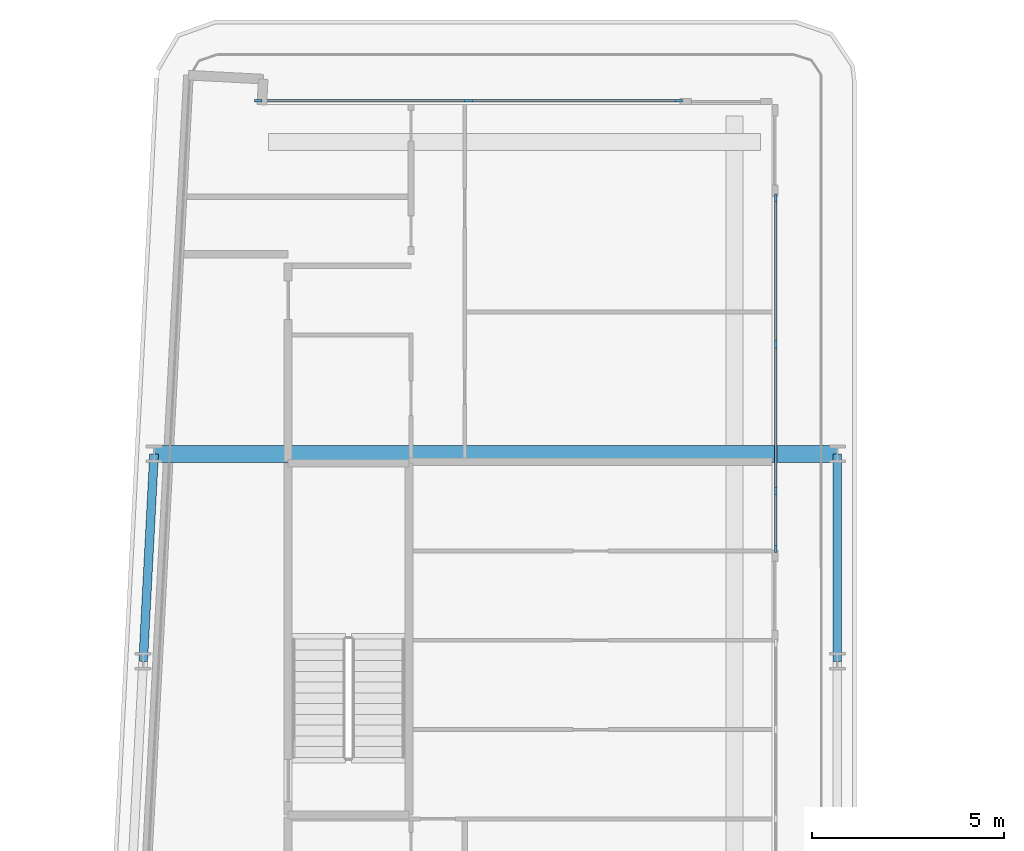
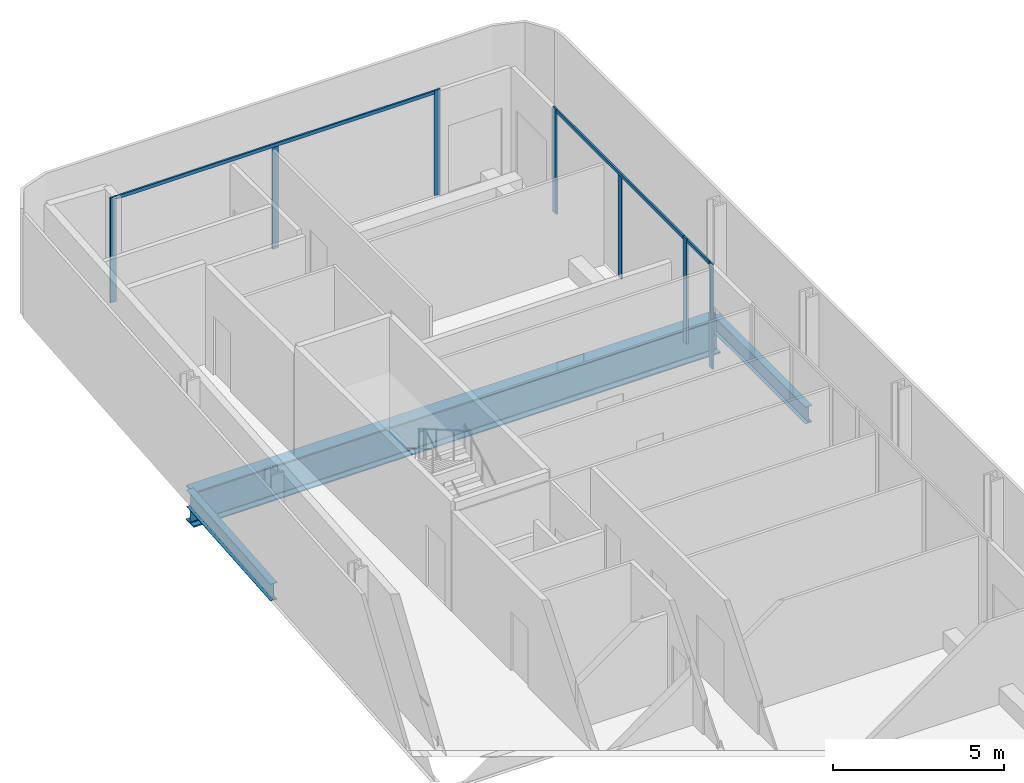
# One storey, part 9 of 28: 10 members, 3 beams, 3 elements without a shape of their own.
"""IFC4 building model written with IfcOpenShell, lengths in metres."""

from ifc_helpers import new_model, si_unit, direction, frame, origin, origin_2d, place, context, subcontext, project, spatial, rectangle, i_section, extrude, material, layer, layer_set, material_profile, profile_set, type_object, element, aggregate, save


model = new_model("IFC4")

# Units and contexts
model_context = context("Model", 3, precision=1e-05, world=origin(), true_north=direction((0.0, 1.0)))
body_context = subcontext(model_context, "Body", "Model", "MODEL_VIEW")
ifc_project = project(units=[si_unit("LENGTHUNIT", "METRE"), si_unit("AREAUNIT", "SQUARE_METRE"), si_unit("VOLUMEUNIT", "CUBIC_METRE"), si_unit("PLANEANGLEUNIT", "RADIAN"), si_unit("MASSUNIT", "GRAM", prefix="KILO")], contexts=[model_context])

# Site, building, storey
site_placement = place(None, origin())
site = spatial("IfcSite", under=ifc_project, at=site_placement, CompositionType="ELEMENT")
building_placement = place(site_placement, origin())
building = spatial("IfcBuilding", under=site, at=building_placement, Name="Kheshtan School and Residences Tower", CompositionType="ELEMENT")
storey_placement = place(building_placement, frame((0.0, 0.0, 125.300048828125)))
storey = spatial("IfcBuildingStorey", under=building, at=storey_placement, Name="L29", CompositionType="ELEMENT", Elevation=125.300048828125)

# Beams
ifc_material_1 = material(Name="Steel ASTM A992 Grade 50", Category="steel")
ifc_material_profile_1 = material_profile(ifc_material_1, i_section(OverallWidth=0.22802734375, OverallDepth=0.60302734375, WebThickness=0.010498046875, FlangeThickness=0.014892578125, FilletRadius=0.013427734375, at=origin_2d()), Name="W610x101")
ifc_profile_set_1 = profile_set([ifc_material_profile_1], Name="Steel ASTM A992 Grade 50")
beam_type_1 = type_object("IfcBeamType", Name="Beam SP2 W610x101 ASTM A992 Grade 50", PredefinedType="BEAM", material=ifc_profile_set_1)
beam_1_placement = place(storey_placement, frame((47.60009765625, 88.800048828125, -0.45166015625), z_axis=(0.0, -1.0, 0.0), x_axis=(1.0, 0.0, 0.0)))
element("IfcBeam", 1, at=beam_1_placement, inside=storey, type_object=beam_type_1, Name="Spandrel beam C099-C091", PredefinedType="BEAM", context=body_context, shape_type="SweptSolid", body=[
    extrude(i_section(OverallWidth=0.22802734375, OverallDepth=0.60302734375, WebThickness=0.010498046875, FlangeThickness=0.014892578125, FilletRadius=0.013427734375, at=origin_2d()), origin(), (0.0, 0.0, 1.0), 5.400146484375),
])
beam_2_placement = place(storey_placement, frame((29.527099609375, 83.39990234375, -0.45166015625), z_axis=(0.05250670125, 0.998620571751, 0.0), x_axis=(-0.998620571751, 0.05250670125, 0.0)))
element("IfcBeam", 2, at=beam_2_placement, inside=storey, type_object=beam_type_1, Name="Spandrel beam C090-C098", PredefinedType="BEAM", context=body_context, shape_type="SweptSolid", body=[
    extrude(i_section(OverallWidth=0.22802734375, OverallDepth=0.60302734375, WebThickness=0.010498046875, FlangeThickness=0.014892578125, FilletRadius=0.013427734375, at=origin_2d()), origin(), (0.0, 0.0, 1.0), 5.40771484375),
])

# Curtain wall, members
ifc_material_2 = material(Name="Clear low-e glass in thermally broken aluminium frame", Category="aluminium")
ifc_layer = layer(ifc_material_2, 0.199951171875)
ifc_layer_set = layer_set([ifc_layer], Name="Curtain wall CW-L")
curtain_wall_type = type_object("IfcCurtainWallType", Name="Curtain wall CW-L", PredefinedType="NOTDEFINED", material=ifc_layer_set)
curtain_wall_1_placement = place(storey_placement, origin())
curtain_wall_1 = element("IfcCurtainWall", 3, at=curtain_wall_1_placement, inside=storey, type_object=curtain_wall_type, Name="Curtain wall CWL7", PredefinedType="NOTDEFINED")
ifc_material_3 = material(Name="Thermally broken aluminium, dark bronze anodised", Category="aluminium")
ifc_material_profile_2 = material_profile(ifc_material_3, rectangle(XDim=0.06005859375, YDim=0.199951171875, at=origin_2d()), Name="CW-L mullion 60x200")
ifc_profile_set_2 = profile_set([ifc_material_profile_2], Name="Thermally broken aluminium, dark bronze anodised")
member_type_1 = type_object("IfcMemberType", Name="CW-L mullion 60x200", PredefinedType="MULLION", material=ifc_profile_set_2)
member_1_placement = place(storey_placement, frame((32.52197265625, 98.0, 0.0), z_axis=(0.0, 0.0, 1.0), x_axis=(0.0, 1.0, 0.0)))
member_1 = element("IfcMember", 4, at=member_1_placement, type_object=member_type_1, Name="CWL7 mullion 1", PredefinedType="MULLION", context=body_context, shape_type="SweptSolid", body=[
    extrude(rectangle(XDim=0.06005859375, YDim=0.199951171875, at=origin_2d()), origin(), (0.0, 0.0, 1.0), 3.75),
])
member_2_placement = place(storey_placement, frame((37.99609375, 98.0, 0.0), z_axis=(0.0, 0.0, 1.0), x_axis=(0.0, 1.0, 0.0)))
member_2 = element("IfcMember", 5, at=member_2_placement, type_object=member_type_1, Name="CWL7 mullion 2", PredefinedType="MULLION", context=body_context, shape_type="SweptSolid", body=[
    extrude(rectangle(XDim=0.06005859375, YDim=0.199951171875, at=origin_2d()), origin(), (0.0, 0.0, 1.0), 3.6298828125),
])
member_3_placement = place(storey_placement, frame((43.469970703125, 98.0, 0.0), z_axis=(0.0, 0.0, 1.0), x_axis=(0.0, 1.0, 0.0)))
member_3 = element("IfcMember", 6, at=member_3_placement, type_object=member_type_1, Name="CWL7 mullion 3", PredefinedType="MULLION", context=body_context, shape_type="SweptSolid", body=[
    extrude(rectangle(XDim=0.06005859375, YDim=0.199951171875, at=origin_2d()), origin(), (0.0, 0.0, 1.0), 3.75),
])

curtain_wall_2_placement = place(storey_placement, origin())
curtain_wall_2 = element("IfcCurtainWall", 7, at=curtain_wall_2_placement, inside=storey, type_object=curtain_wall_type, Name="Curtain wall CWL8", PredefinedType="NOTDEFINED")
member_4_placement = place(storey_placement, frame((46.0, 95.469970703125, 0.0), z_axis=(0.0, 0.0, 1.0), x_axis=(1.0, 0.0, 0.0)))
member_4 = element("IfcMember", 8, at=member_4_placement, type_object=member_type_1, Name="CWL8 mullion 1", PredefinedType="MULLION", context=body_context, shape_type="SweptSolid", body=[
    extrude(rectangle(XDim=0.06005859375, YDim=0.199951171875, at=origin_2d()), origin(), (0.0, 0.0, 1.0), 3.75),
])
member_5_placement = place(storey_placement, frame((46.0, 91.653076171875, 0.0), z_axis=(0.0, 0.0, 1.0), x_axis=(1.0, 0.0, 0.0)))
member_5 = element("IfcMember", 9, at=member_5_placement, type_object=member_type_1, Name="CWL8 mullion 2", PredefinedType="MULLION", context=body_context, shape_type="SweptSolid", body=[
    extrude(rectangle(XDim=0.06005859375, YDim=0.199951171875, at=origin_2d()), origin(), (0.0, 0.0, 1.0), 3.6298828125),
])
member_6_placement = place(storey_placement, frame((46.0, 87.8359375, 0.0), z_axis=(0.0, 0.0, 1.0), x_axis=(1.0, 0.0, 0.0)))
member_6 = element("IfcMember", 10, at=member_6_placement, type_object=member_type_1, Name="CWL8 mullion 3", PredefinedType="MULLION", context=body_context, shape_type="SweptSolid", body=[
    extrude(rectangle(XDim=0.06005859375, YDim=0.199951171875, at=origin_2d()), origin(), (0.0, 0.0, 1.0), 3.75),
])

# Curtain wall, member
curtain_wall_3_placement = place(storey_placement, origin())
curtain_wall_3 = element("IfcCurtainWall", 11, at=curtain_wall_3_placement, inside=storey, type_object=curtain_wall_type, Name="Curtain wall CWL8a", PredefinedType="NOTDEFINED")
member_7_placement = place(storey_placement, frame((46.0, 86.3359375, 0.0), z_axis=(0.0, 0.0, 1.0), x_axis=(1.0, 0.0, 0.0)))
member_7 = element("IfcMember", 12, at=member_7_placement, type_object=member_type_1, Name="CWL8a mullion 2", PredefinedType="MULLION", context=body_context, shape_type="SweptSolid", body=[
    extrude(rectangle(XDim=0.06005859375, YDim=0.199951171875, at=origin_2d()), origin(), (0.0, 0.0, 1.0), 3.75),
])

# Member
ifc_material_profile_3 = material_profile(ifc_material_3, rectangle(XDim=0.06005859375, YDim=0.1201171875, at=origin_2d()), Name="CW-L transom 60x120")
ifc_profile_set_3 = profile_set([ifc_material_profile_3], Name="Thermally broken aluminium, dark bronze anodised")
member_type_2 = type_object("IfcMemberType", Name="CW-L transom 60x120", PredefinedType="USERDEFINED", material=ifc_profile_set_3)
member_8_placement = place(storey_placement, frame((32.552001953125, 98.0, 3.68994140625), z_axis=(1.0, 0.0, 0.0), x_axis=(0.0, 1.0, 0.0)))
member_8 = element("IfcMember", 13, at=member_8_placement, type_object=member_type_2, Name="CWL7 transom 1", ObjectType="TRANSOM", PredefinedType="USERDEFINED", context=body_context, shape_type="SweptSolid", body=[
    extrude(rectangle(XDim=0.06005859375, YDim=0.1201171875, at=origin_2d()), origin(), (0.0, 0.0, 1.0), 10.887939453125),
])

aggregate(curtain_wall_1, [member_1, member_2, member_3, member_8])

member_9_placement = place(storey_placement, frame((46.0, 95.43994140625, 3.68994140625), z_axis=(0.0, -1.0, 0.0), x_axis=(1.0, 0.0, 0.0)))
member_9 = element("IfcMember", 14, at=member_9_placement, type_object=member_type_2, Name="CWL8 transom 1", ObjectType="TRANSOM", PredefinedType="USERDEFINED", context=body_context, shape_type="SweptSolid", body=[
    extrude(rectangle(XDim=0.06005859375, YDim=0.1201171875, at=origin_2d()), origin(), (0.0, 0.0, 1.0), 7.573974609375),
])

aggregate(curtain_wall_2, [member_4, member_5, member_6, member_9])

member_10_placement = place(storey_placement, frame((46.0, 87.805908203125, 3.68994140625), z_axis=(0.0, -1.0, 0.0), x_axis=(1.0, 0.0, 0.0)))
member_10 = element("IfcMember", 15, at=member_10_placement, type_object=member_type_2, Name="CWL8a transom 1", ObjectType="TRANSOM", PredefinedType="USERDEFINED", context=body_context, shape_type="SweptSolid", body=[
    extrude(rectangle(XDim=0.06005859375, YDim=0.1201171875, at=origin_2d()), origin(), (0.0, 0.0, 1.0), 1.43994140625),
])

aggregate(curtain_wall_3, [member_7, member_10])

# Beam
ifc_material_profile_4 = material_profile(ifc_material_1, i_section(OverallWidth=0.449951171875, OverallDepth=1.25, WebThickness=0.02490234375, FlangeThickness=0.044921875, FilletRadius=0.03759765625, at=origin_2d()), Name="WWF1250x546")
ifc_profile_set_4 = profile_set([ifc_material_profile_4], Name="Steel ASTM A992 Grade 50")
beam_type_2 = type_object("IfcBeamType", Name="Transfer girder TG4 WWF1250x546 ASTM A992 Grade 50", PredefinedType="BEAM", material=ifc_profile_set_4)
beam_3_placement = place(storey_placement, frame((29.81103515625, 88.800048828125, -0.775146484375), z_axis=(1.0, 0.0, 0.0), x_axis=(0.0, 1.0, 0.0)))
element("IfcBeam", 16, at=beam_3_placement, inside=storey, type_object=beam_type_2, Name="Transfer girder C098-C099", PredefinedType="BEAM", context=body_context, shape_type="SweptSolid", body=[
    extrude(i_section(OverallWidth=0.449951171875, OverallDepth=1.25, WebThickness=0.02490234375, FlangeThickness=0.044921875, FilletRadius=0.03759765625, at=origin_2d()), origin(), (0.0, 0.0, 1.0), 17.7890625),
])

save(model, "model.ifc")
